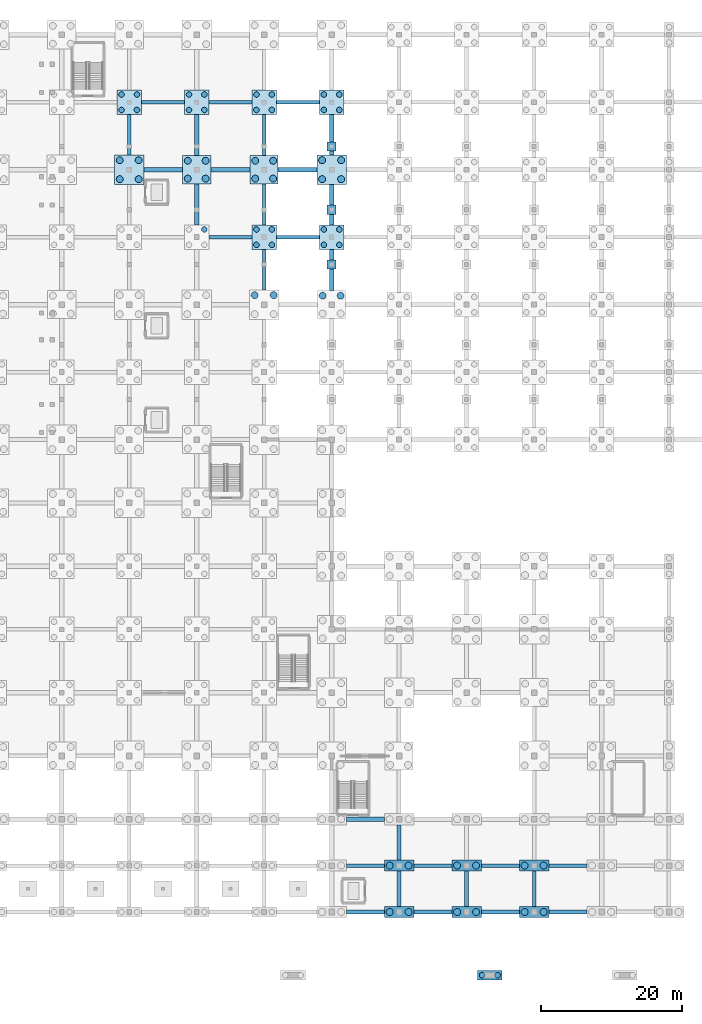
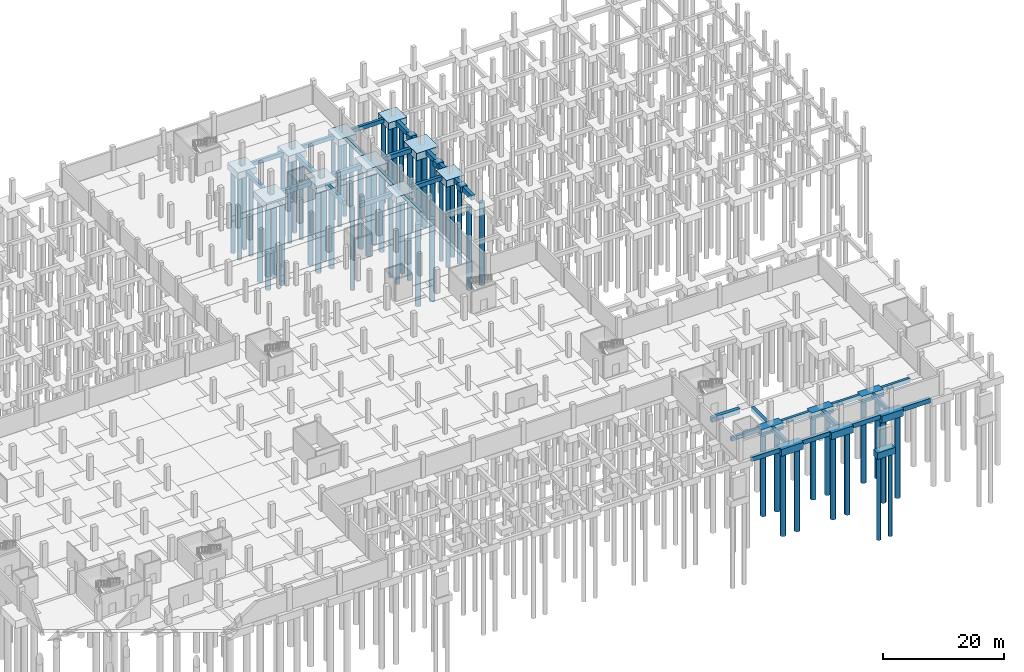
# One storey, part 11 of 39: 59 piles, 53 footings.
"""IFC4 building model written with IfcOpenShell, lengths in metres."""

from ifc_helpers import new_model, si_unit, direction, frame, origin, origin_2d, place, context, subcontext, project, spatial, polyline, rectangle, circle, outline, extrude, material, material_profile, profile_set, type_object, element, save


model = new_model("IFC4")

# Units and contexts
model_context = context("Model", 3, precision=1e-05, world=origin(), true_north=direction((0.0, 1.0)))
body_context = subcontext(model_context, "Body", "Model", "MODEL_VIEW")
ifc_project = project(units=[si_unit("LENGTHUNIT", "METRE"), si_unit("AREAUNIT", "SQUARE_METRE"), si_unit("VOLUMEUNIT", "CUBIC_METRE"), si_unit("PLANEANGLEUNIT", "RADIAN"), si_unit("MASSUNIT", "GRAM", prefix="KILO")], contexts=[model_context])

# Site, building, storey
site_placement = place(None, origin())
site = spatial("IfcSite", under=ifc_project, at=site_placement, CompositionType="ELEMENT")
building_placement = place(site_placement, origin())
building = spatial("IfcBuilding", under=site, at=building_placement, Name="Zarnetskaya Central Station", CompositionType="ELEMENT")
storey_placement = place(building_placement, frame((0.0, 0.0, -4.800048828125)))
storey = spatial("IfcBuildingStorey", under=building, at=storey_placement, Name="B1", CompositionType="ELEMENT", Elevation=-4.800048828125)

# Footings
ifc_material_1 = material(Name="Concrete C30/37", Category="concrete")
footing_type_1 = type_object("IfcFootingType", Name="FB-500x800", PredefinedType="FOOTING_BEAM", material=ifc_material_1)
footing_1_placement = place(storey_placement, frame((0.0, 0.0, -0.800048828125)))
element("IfcFooting", 1, at=footing_1_placement, inside=storey, type_object=footing_type_1, Name="Footing tie beam 2 P-Q", PredefinedType="FOOTING_BEAM", context=body_context, shape_type="SweptSolid", body=[
    extrude(outline(polyline([(126.89990234375, 6.35009765625), (132.300048828125, 6.35009765625), (132.300048828125, 6.85009765625), (126.89990234375, 6.85009765625), (126.89990234375, 6.35009765625)])), origin(), (0.0, 0.0, 1.0), 0.800048828125),
])
footing_2_placement = place(storey_placement, frame((0.0, 0.0, -0.800048828125)))
element("IfcFooting", 2, at=footing_2_placement, inside=storey, type_object=footing_type_1, Name="Footing tie beam 2 Q-R", PredefinedType="FOOTING_BEAM", context=body_context, shape_type="SweptSolid", body=[
    extrude(outline(polyline([(136.5, 6.35009765625), (141.89990234375, 6.35009765625), (141.89990234375, 6.85009765625), (136.5, 6.85009765625), (136.5, 6.35009765625)])), origin(), (0.0, 0.0, 1.0), 0.800048828125),
])
footing_3_placement = place(storey_placement, frame((0.0, 0.0, -0.800048828125)))
element("IfcFooting", 3, at=footing_3_placement, inside=storey, type_object=footing_type_1, Name="Footing tie beam 2 R-S", PredefinedType="FOOTING_BEAM", context=body_context, shape_type="SweptSolid", body=[
    extrude(outline(polyline([(146.10009765625, 6.35009765625), (151.5, 6.35009765625), (151.5, 6.85009765625), (146.10009765625, 6.85009765625), (146.10009765625, 6.35009765625)])), origin(), (0.0, 0.0, 1.0), 0.800048828125),
])
footing_4_placement = place(storey_placement, frame((0.0, 0.0, -0.800048828125)))
element("IfcFooting", 4, at=footing_4_placement, inside=storey, type_object=footing_type_1, Name="Footing tie beam 2 S-T", PredefinedType="FOOTING_BEAM", context=body_context, shape_type="SweptSolid", body=[
    extrude(outline(polyline([(155.699951171875, 6.35009765625), (161.10009765625, 6.35009765625), (161.10009765625, 6.85009765625), (155.699951171875, 6.85009765625), (155.699951171875, 6.35009765625)])), origin(), (0.0, 0.0, 1.0), 0.800048828125),
])
footing_5_placement = place(storey_placement, frame((0.0, 0.0, -0.800048828125)))
element("IfcFooting", 5, at=footing_5_placement, inside=storey, type_object=footing_type_1, Name="Footing tie beam 14 L-M", PredefinedType="FOOTING_BEAM", context=body_context, shape_type="SweptSolid", body=[
    extrude(outline(polyline([(97.75, 114.949951171875), (103.85009765625, 114.949951171875), (103.85009765625, 115.449951171875), (97.75, 115.449951171875), (97.75, 114.949951171875)])), origin(), (0.0, 0.0, 1.0), 0.800048828125),
])
footing_6_placement = place(storey_placement, frame((0.0, 0.0, -0.800048828125)))
element("IfcFooting", 6, at=footing_6_placement, inside=storey, type_object=footing_type_1, Name="Footing tie beam 14 M-N", PredefinedType="FOOTING_BEAM", context=body_context, shape_type="SweptSolid", body=[
    extrude(outline(polyline([(107.35009765625, 114.949951171875), (113.449951171875, 114.949951171875), (113.449951171875, 115.449951171875), (107.35009765625, 115.449951171875), (107.35009765625, 114.949951171875)])), origin(), (0.0, 0.0, 1.0), 0.800048828125),
])
footing_7_placement = place(storey_placement, frame((0.0, 0.0, -0.800048828125)))
element("IfcFooting", 7, at=footing_7_placement, inside=storey, type_object=footing_type_1, Name="Footing tie beam 14 N-P", PredefinedType="FOOTING_BEAM", context=body_context, shape_type="SweptSolid", body=[
    extrude(outline(polyline([(116.949951171875, 114.949951171875), (123.050048828125, 114.949951171875), (123.050048828125, 115.449951171875), (116.949951171875, 115.449951171875), (116.949951171875, 114.949951171875)])), origin(), (0.0, 0.0, 1.0), 0.800048828125),
])
footing_8_placement = place(storey_placement, frame((0.0, 0.0, -0.800048828125)))
element("IfcFooting", 8, at=footing_8_placement, inside=storey, type_object=footing_type_1, Name="Footing tie beam N 11-12", PredefinedType="FOOTING_BEAM", context=body_context, shape_type="SweptSolid", body=[
    extrude(outline(polyline([(114.949951171875, 88.5), (115.449951171875, 88.5), (115.449951171875, 94.25), (114.949951171875, 94.25), (114.949951171875, 88.5)])), origin(), (0.0, 0.0, 1.0), 0.800048828125),
])
footing_9_placement = place(storey_placement, frame((0.0, 0.0, -0.800048828125)))
element("IfcFooting", 9, at=footing_9_placement, inside=storey, type_object=footing_type_1, Name="Footing tie beam N 12-13", PredefinedType="FOOTING_BEAM", context=body_context, shape_type="SweptSolid", body=[
    extrude(outline(polyline([(114.949951171875, 97.75), (115.449951171875, 97.75), (115.449951171875, 103.60009765625), (114.949951171875, 103.60009765625), (114.949951171875, 97.75)])), origin(), (0.0, 0.0, 1.0), 0.800048828125),
])
footing_10_placement = place(storey_placement, frame((0.0, 0.0, -0.800048828125)))
element("IfcFooting", 10, at=footing_10_placement, inside=storey, type_object=footing_type_1, Name="Footing tie beam N 13-14", PredefinedType="FOOTING_BEAM", context=body_context, shape_type="SweptSolid", body=[
    extrude(outline(polyline([(114.949951171875, 107.60009765625), (115.449951171875, 107.60009765625), (115.449951171875, 113.449951171875), (114.949951171875, 113.449951171875), (114.949951171875, 107.60009765625)])), origin(), (0.0, 0.0, 1.0), 0.800048828125),
])
footing_11_placement = place(storey_placement, frame((0.0, 0.0, -0.800048828125)))
element("IfcFooting", 11, at=footing_11_placement, inside=storey, type_object=footing_type_1, Name="Footing tie beam S 1-2", PredefinedType="FOOTING_BEAM", context=body_context, shape_type="SweptSolid", body=[
    extrude(outline(polyline([(153.35009765625, 0.800048828125), (153.85009765625, 0.800048828125), (153.85009765625, 5.800048828125), (153.35009765625, 5.800048828125), (153.35009765625, 0.800048828125)])), origin(), (0.0, 0.0, 1.0), 0.800048828125),
])
footing_type_2 = type_object("IfcFootingType", Name="FB-550x850", PredefinedType="FOOTING_BEAM", material=ifc_material_1)
footing_12_placement = place(storey_placement, frame((0.0, 0.0, -0.849853515625)))
element("IfcFooting", 12, at=footing_12_placement, inside=storey, type_object=footing_type_2, Name="Footing tie beam 12 M-N", PredefinedType="FOOTING_BEAM", context=body_context, shape_type="SweptSolid", body=[
    extrude(outline(polyline([(107.35009765625, 95.72509765625), (113.449951171875, 95.72509765625), (113.449951171875, 96.27490234375), (107.35009765625, 96.27490234375), (107.35009765625, 95.72509765625)])), origin(), (0.0, 0.0, 1.0), 0.849853515625),
])
footing_13_placement = place(storey_placement, frame((0.0, 0.0, -0.849853515625)))
element("IfcFooting", 13, at=footing_13_placement, inside=storey, type_object=footing_type_2, Name="Footing tie beam 12 N-P", PredefinedType="FOOTING_BEAM", context=body_context, shape_type="SweptSolid", body=[
    extrude(outline(polyline([(116.949951171875, 95.72509765625), (123.050048828125, 95.72509765625), (123.050048828125, 96.27490234375), (116.949951171875, 96.27490234375), (116.949951171875, 95.72509765625)])), origin(), (0.0, 0.0, 1.0), 0.849853515625),
])
footing_14_placement = place(storey_placement, frame((0.0, 0.0, -0.849853515625)))
element("IfcFooting", 14, at=footing_14_placement, inside=storey, type_object=footing_type_2, Name="Footing tie beam L 13-14", PredefinedType="FOOTING_BEAM", context=body_context, shape_type="SweptSolid", body=[
    extrude(outline(polyline([(95.72509765625, 107.699951171875), (96.27490234375, 107.699951171875), (96.27490234375, 113.449951171875), (95.72509765625, 113.449951171875), (95.72509765625, 107.699951171875)])), origin(), (0.0, 0.0, 1.0), 0.849853515625),
])
footing_15_placement = place(storey_placement, frame((0.0, 0.0, -0.849853515625)))
element("IfcFooting", 15, at=footing_15_placement, inside=storey, type_object=footing_type_2, Name="Footing tie beam Q 1-2", PredefinedType="FOOTING_BEAM", context=body_context, shape_type="SweptSolid", body=[
    extrude(outline(polyline([(134.125, 0.800048828125), (134.675048828125, 0.800048828125), (134.675048828125, 5.800048828125), (134.125, 5.800048828125), (134.125, 0.800048828125)])), origin(), (0.0, 0.0, 1.0), 0.849853515625),
])
footing_16_placement = place(storey_placement, frame((0.0, 0.0, -0.849853515625)))
element("IfcFooting", 16, at=footing_16_placement, inside=storey, type_object=footing_type_2, Name="Footing tie beam Q 2-3", PredefinedType="FOOTING_BEAM", context=body_context, shape_type="SweptSolid", body=[
    extrude(outline(polyline([(134.125, 7.39990234375), (134.675048828125, 7.39990234375), (134.675048828125, 12.39990234375), (134.125, 12.39990234375), (134.125, 7.39990234375)])), origin(), (0.0, 0.0, 1.0), 0.849853515625),
])
footing_type_3 = type_object("IfcFootingType", Name="FB-600x900", PredefinedType="FOOTING_BEAM", material=ifc_material_1)
footing_17_placement = place(storey_placement, frame((0.0, 0.0, -0.89990234375)))
element("IfcFooting", 17, at=footing_17_placement, inside=storey, type_object=footing_type_3, Name="Footing tie beam 1 P-Q", PredefinedType="FOOTING_BEAM", context=body_context, shape_type="SweptSolid", body=[
    extrude(outline(polyline([(126.89990234375, -0.300048828125), (132.300048828125, -0.300048828125), (132.300048828125, 0.300048828125), (126.89990234375, 0.300048828125), (126.89990234375, -0.300048828125)])), origin(), (0.0, 0.0, 1.0), 0.89990234375),
])
footing_18_placement = place(storey_placement, frame((0.0, 0.0, -0.89990234375)))
element("IfcFooting", 18, at=footing_18_placement, inside=storey, type_object=footing_type_3, Name="Footing tie beam 1 Q-R", PredefinedType="FOOTING_BEAM", context=body_context, shape_type="SweptSolid", body=[
    extrude(outline(polyline([(136.5, -0.300048828125), (141.89990234375, -0.300048828125), (141.89990234375, 0.300048828125), (136.5, 0.300048828125), (136.5, -0.300048828125)])), origin(), (0.0, 0.0, 1.0), 0.89990234375),
])
footing_19_placement = place(storey_placement, frame((0.0, 0.0, -0.89990234375)))
element("IfcFooting", 19, at=footing_19_placement, inside=storey, type_object=footing_type_3, Name="Footing tie beam 1 R-S", PredefinedType="FOOTING_BEAM", context=body_context, shape_type="SweptSolid", body=[
    extrude(outline(polyline([(146.10009765625, -0.300048828125), (151.5, -0.300048828125), (151.5, 0.300048828125), (146.10009765625, 0.300048828125), (146.10009765625, -0.300048828125)])), origin(), (0.0, 0.0, 1.0), 0.89990234375),
])
footing_20_placement = place(storey_placement, frame((0.0, 0.0, -0.89990234375)))
element("IfcFooting", 20, at=footing_20_placement, inside=storey, type_object=footing_type_3, Name="Footing tie beam 1 S-T", PredefinedType="FOOTING_BEAM", context=body_context, shape_type="SweptSolid", body=[
    extrude(outline(polyline([(155.699951171875, -0.300048828125), (161.10009765625, -0.300048828125), (161.10009765625, 0.300048828125), (155.699951171875, 0.300048828125), (155.699951171875, -0.300048828125)])), origin(), (0.0, 0.0, 1.0), 0.89990234375),
])
footing_21_placement = place(storey_placement, frame((0.0, 0.0, -0.89990234375)))
element("IfcFooting", 21, at=footing_21_placement, inside=storey, type_object=footing_type_3, Name="Footing tie beam 13 L-M", PredefinedType="FOOTING_BEAM", context=body_context, shape_type="SweptSolid", body=[
    extrude(outline(polyline([(98.10009765625, 105.300048828125), (103.60009765625, 105.300048828125), (103.60009765625, 105.89990234375), (98.10009765625, 105.89990234375), (98.10009765625, 105.300048828125)])), origin(), (0.0, 0.0, 1.0), 0.89990234375),
])
footing_22_placement = place(storey_placement, frame((0.0, 0.0, -0.89990234375)))
element("IfcFooting", 22, at=footing_22_placement, inside=storey, type_object=footing_type_3, Name="Footing tie beam 13 M-N", PredefinedType="FOOTING_BEAM", context=body_context, shape_type="SweptSolid", body=[
    extrude(outline(polyline([(107.60009765625, 105.300048828125), (113.199951171875, 105.300048828125), (113.199951171875, 105.89990234375), (107.60009765625, 105.89990234375), (107.60009765625, 105.300048828125)])), origin(), (0.0, 0.0, 1.0), 0.89990234375),
])
footing_23_placement = place(storey_placement, frame((0.0, 0.0, -0.89990234375)))
element("IfcFooting", 23, at=footing_23_placement, inside=storey, type_object=footing_type_3, Name="Footing tie beam 13 N-P", PredefinedType="FOOTING_BEAM", context=body_context, shape_type="SweptSolid", body=[
    extrude(outline(polyline([(117.199951171875, 105.300048828125), (122.699951171875, 105.300048828125), (122.699951171875, 105.89990234375), (117.199951171875, 105.89990234375), (117.199951171875, 105.300048828125)])), origin(), (0.0, 0.0, 1.0), 0.89990234375),
])
footing_24_placement = place(storey_placement, frame((0.0, 0.0, -0.89990234375)))
element("IfcFooting", 24, at=footing_24_placement, inside=storey, type_object=footing_type_3, Name="Footing tie beam M 12-13", PredefinedType="FOOTING_BEAM", context=body_context, shape_type="SweptSolid", body=[
    extrude(outline(polyline([(105.300048828125, 97.75), (105.89990234375, 97.75), (105.89990234375, 103.60009765625), (105.300048828125, 103.60009765625), (105.300048828125, 97.75)])), origin(), (0.0, 0.0, 1.0), 0.89990234375),
])
footing_25_placement = place(storey_placement, frame((0.0, 0.0, -0.89990234375)))
element("IfcFooting", 25, at=footing_25_placement, inside=storey, type_object=footing_type_3, Name="Footing tie beam M 13-14", PredefinedType="FOOTING_BEAM", context=body_context, shape_type="SweptSolid", body=[
    extrude(outline(polyline([(105.300048828125, 107.60009765625), (105.89990234375, 107.60009765625), (105.89990234375, 113.449951171875), (105.300048828125, 113.449951171875), (105.300048828125, 107.60009765625)])), origin(), (0.0, 0.0, 1.0), 0.89990234375),
])
footing_26_placement = place(storey_placement, frame((0.0, 0.0, -0.89990234375)))
element("IfcFooting", 26, at=footing_26_placement, inside=storey, type_object=footing_type_3, Name="Footing tie beam R 1-2", PredefinedType="FOOTING_BEAM", context=body_context, shape_type="SweptSolid", body=[
    extrude(outline(polyline([(143.699951171875, 0.800048828125), (144.300048828125, 0.800048828125), (144.300048828125, 5.800048828125), (143.699951171875, 5.800048828125), (143.699951171875, 0.800048828125)])), origin(), (0.0, 0.0, 1.0), 0.89990234375),
])
footing_type_4 = type_object("IfcFootingType", Name="FB-650x950", PredefinedType="FOOTING_BEAM", material=ifc_material_1)
footing_27_placement = place(storey_placement, frame((0.0, 0.0, -0.949951171875)))
element("IfcFooting", 27, at=footing_27_placement, inside=storey, type_object=footing_type_4, Name="Footing tie beam 3 P-Q", PredefinedType="FOOTING_BEAM", context=body_context, shape_type="SweptSolid", body=[
    extrude(outline(polyline([(126.89990234375, 12.875), (132.300048828125, 12.875), (132.300048828125, 13.52490234375), (126.89990234375, 13.52490234375), (126.89990234375, 12.875)])), origin(), (0.0, 0.0, 1.0), 0.949951171875),
])
footing_28_placement = place(storey_placement, frame((0.0, 0.0, -0.949951171875)))
element("IfcFooting", 28, at=footing_28_placement, inside=storey, type_object=footing_type_4, Name="Footing tie beam P 11-12 part 1", PredefinedType="FOOTING_BEAM", context=body_context, shape_type="SweptSolid", body=[
    extrude(outline(polyline([(124.47509765625, 88.39990234375), (125.125, 88.39990234375), (125.125, 91.449951171875), (124.47509765625, 91.449951171875), (124.47509765625, 88.39990234375)])), origin(), (0.0, 0.0, 1.0), 0.949951171875),
])
footing_29_placement = place(storey_placement, frame((0.0, 0.0, -0.949951171875)))
element("IfcFooting", 29, at=footing_29_placement, inside=storey, type_object=footing_type_4, Name="Footing tie beam P 11-12 part 2", PredefinedType="FOOTING_BEAM", context=body_context, shape_type="SweptSolid", body=[
    extrude(outline(polyline([(124.47509765625, 92.75), (125.125, 92.75), (125.125, 94.25), (124.47509765625, 94.25), (124.47509765625, 92.75)])), origin(), (0.0, 0.0, 1.0), 0.949951171875),
])
footing_30_placement = place(storey_placement, frame((0.0, 0.0, -0.949951171875)))
element("IfcFooting", 30, at=footing_30_placement, inside=storey, type_object=footing_type_4, Name="Footing tie beam P 12-13 part 1", PredefinedType="FOOTING_BEAM", context=body_context, shape_type="SweptSolid", body=[
    extrude(outline(polyline([(124.47509765625, 97.75), (125.125, 97.75), (125.125, 99.25), (124.47509765625, 99.25), (124.47509765625, 97.75)])), origin(), (0.0, 0.0, 1.0), 0.949951171875),
])
footing_31_placement = place(storey_placement, frame((0.0, 0.0, -0.949951171875)))
element("IfcFooting", 31, at=footing_31_placement, inside=storey, type_object=footing_type_4, Name="Footing tie beam P 12-13 part 2", PredefinedType="FOOTING_BEAM", context=body_context, shape_type="SweptSolid", body=[
    extrude(outline(polyline([(124.47509765625, 100.550048828125), (125.125, 100.550048828125), (125.125, 103.5), (124.47509765625, 103.5), (124.47509765625, 100.550048828125)])), origin(), (0.0, 0.0, 1.0), 0.949951171875),
])
footing_32_placement = place(storey_placement, frame((0.0, 0.0, -0.949951171875)))
element("IfcFooting", 32, at=footing_32_placement, inside=storey, type_object=footing_type_4, Name="Footing tie beam P 13-14 part 1", PredefinedType="FOOTING_BEAM", context=body_context, shape_type="SweptSolid", body=[
    extrude(outline(polyline([(124.47509765625, 107.699951171875), (125.125, 107.699951171875), (125.125, 108.25), (124.47509765625, 108.25), (124.47509765625, 107.699951171875)])), origin(), (0.0, 0.0, 1.0), 0.949951171875),
])
footing_33_placement = place(storey_placement, frame((0.0, 0.0, -0.949951171875)))
element("IfcFooting", 33, at=footing_33_placement, inside=storey, type_object=footing_type_4, Name="Footing tie beam P 13-14 part 2", PredefinedType="FOOTING_BEAM", context=body_context, shape_type="SweptSolid", body=[
    extrude(outline(polyline([(124.47509765625, 109.550048828125), (125.125, 109.550048828125), (125.125, 113.449951171875), (124.47509765625, 113.449951171875), (124.47509765625, 109.550048828125)])), origin(), (0.0, 0.0, 1.0), 0.949951171875),
])
ifc_material_2 = material(Name="Concrete C35/45", Category="concrete")
footing_type_5 = type_object("IfcFootingType", Name="PAD-PIER-130", PredefinedType="PAD_FOOTING", material=ifc_material_2)
for number, where, z_axis, x_axis, name in (
    (34, (124.800048828125, 92.10009765625, -1.14990234375), (0.0, 0.0, 1.0), (1.0, 0.0, 0.0), "Platform pier pad P2-PN"),
    (35, (124.800048828125, 99.89990234375, -1.14990234375), (0.0, 0.0, 1.0), (1.0, 0.0, 0.0), "Platform pier pad P3-PS"),
    (36, (124.800048828125, 108.89990234375, -1.14990234375), (0.0, 0.0, 1.0), (1.0, 0.0, 0.0), "Platform pier pad P3-PN"),
):
    element("IfcFooting", number, at=place(storey_placement, frame(where, z_axis=z_axis, x_axis=x_axis)), inside=storey, type_object=footing_type_5, Name=name, PredefinedType="PAD_FOOTING", context=body_context, shape_type="SweptSolid", body=[
        extrude(rectangle(XDim=1.300048828125, YDim=1.300048828125, at=origin_2d()), origin(), (0.0, 0.0, 1.0), 1.14990234375),
    ])
footing_type_6 = type_object("IfcFootingType", Name="PC-2P-1000X", PredefinedType="PILE_CAP", material=ifc_material_2)
for number, where, z_axis, x_axis, name in (
    (37, (134.39990234375, 0.0, -1.39990234375), (0.0, 0.0, 1.0), (1.0, 0.0, 0.0), "Pile cap Q1"),
    (38, (134.39990234375, 6.60009765625, -1.39990234375), (0.0, 0.0, 1.0), (1.0, 0.0, 0.0), "Pile cap Q2"),
    (39, (144.0, 0.0, -1.39990234375), (0.0, 0.0, 1.0), (1.0, 0.0, 0.0), "Pile cap R1"),
    (40, (144.0, 6.60009765625, -1.39990234375), (0.0, 0.0, 1.0), (1.0, 0.0, 0.0), "Pile cap R2"),
    (41, (153.60009765625, 0.0, -1.39990234375), (0.0, 0.0, 1.0), (1.0, 0.0, 0.0), "Pile cap S1"),
    (42, (153.60009765625, 6.60009765625, -1.39990234375), (0.0, 0.0, 1.0), (1.0, 0.0, 0.0), "Pile cap S2"),
):
    element("IfcFooting", number, at=place(storey_placement, frame(where, z_axis=z_axis, x_axis=x_axis)), inside=storey, type_object=footing_type_6, Name=name, PredefinedType="PILE_CAP", context=body_context, shape_type="SweptSolid", body=[
        extrude(rectangle(XDim=4.199951171875, YDim=1.60009765625, at=origin_2d()), origin(), (0.0, 0.0, 1.0), 1.39990234375),
    ])
footing_type_7 = type_object("IfcFootingType", Name="PC-2P-800X", PredefinedType="PILE_CAP", material=ifc_material_2)
footing_34_placement = place(storey_placement, frame((147.300048828125, -9.0, -1.2998046875), z_axis=(0.0, 0.0, 1.0), x_axis=(1.0, 0.0, 0.0)))
element("IfcFooting", 43, at=footing_34_placement, inside=storey, type_object=footing_type_7, Name="Ramp pier two-pile cap RM-04", PredefinedType="PILE_CAP", context=body_context, shape_type="SweptSolid", body=[
    extrude(rectangle(XDim=3.5, YDim=1.35009765625, at=origin_2d()), origin(), (0.0, 0.0, 1.0), 1.300048828125),
])
footing_type_8 = type_object("IfcFootingType", Name="PC-4P-1000A", PredefinedType="PILE_CAP", material=ifc_material_2)
for number, where, z_axis, x_axis, name in (
    (44, (96.0, 105.60009765625, -1.44970703125), (0.0, 0.0, 1.0), (1.0, 0.0, 0.0), "Pile cap L13"),
    (45, (124.800048828125, 105.60009765625, -1.44970703125), (0.0, 0.0, 1.0), (1.0, 0.0, 0.0), "Pile cap P13"),
):
    element("IfcFooting", number, at=place(storey_placement, frame(where, z_axis=z_axis, x_axis=x_axis)), inside=storey, type_object=footing_type_8, Name=name, PredefinedType="PILE_CAP", context=body_context, shape_type="SweptSolid", body=[
        extrude(rectangle(XDim=4.199951171875, YDim=4.199951171875, at=origin_2d()), origin(), (0.0, 0.0, 1.0), 1.449951171875),
    ])
footing_type_9 = type_object("IfcFootingType", Name="PC-4P-1000B", PredefinedType="PILE_CAP", material=ifc_material_2)
for number, where, z_axis, x_axis, name in (
    (46, (105.60009765625, 105.60009765625, -1.39990234375), (0.0, 0.0, 1.0), (1.0, 0.0, 0.0), "Pile cap M13"),
    (47, (115.199951171875, 105.60009765625, -1.39990234375), (0.0, 0.0, 1.0), (1.0, 0.0, 0.0), "Pile cap N13"),
):
    element("IfcFooting", number, at=place(storey_placement, frame(where, z_axis=z_axis, x_axis=x_axis)), inside=storey, type_object=footing_type_9, Name=name, PredefinedType="PILE_CAP", context=body_context, shape_type="SweptSolid", body=[
        extrude(rectangle(XDim=4.0, YDim=4.0, at=origin_2d()), origin(), (0.0, 0.0, 1.0), 1.39990234375),
    ])
footing_type_10 = type_object("IfcFootingType", Name="PC-4P-800A", PredefinedType="PILE_CAP", material=ifc_material_2)
for number, where, z_axis, x_axis, name in (
    (48, (96.0, 115.199951171875, -1.35009765625), (0.0, 0.0, 1.0), (1.0, 0.0, 0.0), "Pile cap L14"),
    (49, (105.60009765625, 115.199951171875, -1.35009765625), (0.0, 0.0, 1.0), (1.0, 0.0, 0.0), "Pile cap M14"),
    (50, (115.199951171875, 96.0, -1.35009765625), (0.0, 0.0, 1.0), (1.0, 0.0, 0.0), "Pile cap N12"),
    (51, (115.199951171875, 115.199951171875, -1.35009765625), (0.0, 0.0, 1.0), (1.0, 0.0, 0.0), "Pile cap N14"),
    (52, (124.800048828125, 96.0, -1.35009765625), (0.0, 0.0, 1.0), (1.0, 0.0, 0.0), "Pile cap P12"),
    (53, (124.800048828125, 115.199951171875, -1.35009765625), (0.0, 0.0, 1.0), (1.0, 0.0, 0.0), "Pile cap P14"),
):
    element("IfcFooting", number, at=place(storey_placement, frame(where, z_axis=z_axis, x_axis=x_axis)), inside=storey, type_object=footing_type_10, Name=name, PredefinedType="PILE_CAP", context=body_context, shape_type="SweptSolid", body=[
        extrude(rectangle(XDim=3.5, YDim=3.5, at=origin_2d()), origin(), (0.0, 0.0, 1.0), 1.35009765625),
    ])

# Piles
ifc_material_profile_1 = material_profile(ifc_material_2, circle(Radius=0.5, at=origin_2d()), Name="BORED PILE D1000")
ifc_profile_set_1 = profile_set([ifc_material_profile_1], Name="Concrete C35/45")
pile_type_1 = type_object("IfcPileType", Name="PILE-D1000", PredefinedType="BORED", material=ifc_profile_set_1)
for number, where, z_axis, x_axis, name in (
    (54, (94.64990234375, 104.25, -1.300048828125), (0.0, 0.0, -1.0), (1.0, 0.0, 0.0), "Bored pile L13-11"),
    (55, (94.64990234375, 106.949951171875, -1.300048828125), (0.0, 0.0, -1.0), (1.0, 0.0, 0.0), "Bored pile L13-12"),
    (56, (97.35009765625, 104.25, -1.300048828125), (0.0, 0.0, -1.0), (1.0, 0.0, 0.0), "Bored pile L13-21"),
    (57, (97.35009765625, 106.949951171875, -1.300048828125), (0.0, 0.0, -1.0), (1.0, 0.0, 0.0), "Bored pile L13-22"),
):
    element("IfcPile", number, at=place(storey_placement, frame(where, z_axis=z_axis, x_axis=x_axis)), inside=storey, type_object=pile_type_1, Name=name, PredefinedType="BORED", context=body_context, shape_type="SweptSolid", body=[
        extrude(circle(Radius=0.5, at=origin_2d()), origin(), (0.0, 0.0, 1.0), 16.699951171875),
    ])
for number, where, z_axis, x_axis, name in (
    (58, (104.324951171875, 104.324951171875, -1.25), (0.0, 0.0, -1.0), (1.0, 0.0, 0.0), "Bored pile M13-11"),
    (59, (104.324951171875, 106.875, -1.25), (0.0, 0.0, -1.0), (1.0, 0.0, 0.0), "Bored pile M13-12"),
    (60, (106.875, 104.324951171875, -1.25), (0.0, 0.0, -1.0), (1.0, 0.0, 0.0), "Bored pile M13-21"),
    (61, (106.875, 106.875, -1.25), (0.0, 0.0, -1.0), (1.0, 0.0, 0.0), "Bored pile M13-22"),
):
    element("IfcPile", number, at=place(storey_placement, frame(where, z_axis=z_axis, x_axis=x_axis)), inside=storey, type_object=pile_type_1, Name=name, PredefinedType="BORED", context=body_context, shape_type="SweptSolid", body=[
        extrude(circle(Radius=0.5, at=origin_2d()), origin(), (0.0, 0.0, 1.0), 16.75),
    ])
for number, where, z_axis, x_axis, name in (
    (62, (113.85009765625, 87.75, -1.300048828125), (0.0, 0.0, -1.0), (1.0, 0.0, 0.0), "Bored pile N11-12"),
    (63, (116.550048828125, 87.75, -1.300048828125), (0.0, 0.0, -1.0), (1.0, 0.0, 0.0), "Bored pile N11-22"),
):
    element("IfcPile", number, at=place(storey_placement, frame(where, z_axis=z_axis, x_axis=x_axis)), inside=storey, type_object=pile_type_1, Name=name, PredefinedType="BORED", context=body_context, shape_type="SweptSolid", body=[
        extrude(circle(Radius=0.5, at=origin_2d()), origin(), (0.0, 0.0, 1.0), 16.699951171875),
    ])
for number, where, z_axis, x_axis, name in (
    (64, (113.925048828125, 104.324951171875, -1.25), (0.0, 0.0, -1.0), (1.0, 0.0, 0.0), "Bored pile N13-11"),
    (65, (113.925048828125, 106.875, -1.25), (0.0, 0.0, -1.0), (1.0, 0.0, 0.0), "Bored pile N13-12"),
    (66, (116.47509765625, 104.324951171875, -1.25), (0.0, 0.0, -1.0), (1.0, 0.0, 0.0), "Bored pile N13-21"),
    (67, (116.47509765625, 106.875, -1.25), (0.0, 0.0, -1.0), (1.0, 0.0, 0.0), "Bored pile N13-22"),
    (68, (123.52490234375, 87.675048828125, -1.25), (0.0, 0.0, -1.0), (1.0, 0.0, 0.0), "Bored pile P11-12"),
    (69, (126.074951171875, 87.675048828125, -1.25), (0.0, 0.0, -1.0), (1.0, 0.0, 0.0), "Bored pile P11-22"),
):
    element("IfcPile", number, at=place(storey_placement, frame(where, z_axis=z_axis, x_axis=x_axis)), inside=storey, type_object=pile_type_1, Name=name, PredefinedType="BORED", context=body_context, shape_type="SweptSolid", body=[
        extrude(circle(Radius=0.5, at=origin_2d()), origin(), (0.0, 0.0, 1.0), 16.75),
    ])
for number, where, z_axis, x_axis, name in (
    (70, (123.449951171875, 104.25, -1.300048828125), (0.0, 0.0, -1.0), (1.0, 0.0, 0.0), "Bored pile P13-11"),
    (71, (123.449951171875, 106.949951171875, -1.300048828125), (0.0, 0.0, -1.0), (1.0, 0.0, 0.0), "Bored pile P13-12"),
    (72, (126.14990234375, 104.25, -1.300048828125), (0.0, 0.0, -1.0), (1.0, 0.0, 0.0), "Bored pile P13-21"),
    (73, (126.14990234375, 106.949951171875, -1.300048828125), (0.0, 0.0, -1.0), (1.0, 0.0, 0.0), "Bored pile P13-22"),
):
    element("IfcPile", number, at=place(storey_placement, frame(where, z_axis=z_axis, x_axis=x_axis)), inside=storey, type_object=pile_type_1, Name=name, PredefinedType="BORED", context=body_context, shape_type="SweptSolid", body=[
        extrude(circle(Radius=0.5, at=origin_2d()), origin(), (0.0, 0.0, 1.0), 16.699951171875),
    ])
for number, where, z_axis, x_axis, name in (
    (74, (133.050048828125, 0.0, -1.25), (0.0, 0.0, -1.0), (1.0, 0.0, 0.0), "Bored pile Q1-11"),
    (75, (135.75, 0.0, -1.25), (0.0, 0.0, -1.0), (1.0, 0.0, 0.0), "Bored pile Q1-21"),
    (76, (133.050048828125, 6.60009765625, -1.25), (0.0, 0.0, -1.0), (1.0, 0.0, 0.0), "Bored pile Q2-11"),
    (77, (135.75, 6.60009765625, -1.25), (0.0, 0.0, -1.0), (1.0, 0.0, 0.0), "Bored pile Q2-21"),
    (78, (142.64990234375, 0.0, -1.25), (0.0, 0.0, -1.0), (1.0, 0.0, 0.0), "Bored pile R1-11"),
    (79, (145.35009765625, 0.0, -1.25), (0.0, 0.0, -1.0), (1.0, 0.0, 0.0), "Bored pile R1-21"),
    (80, (142.64990234375, 6.60009765625, -1.25), (0.0, 0.0, -1.0), (1.0, 0.0, 0.0), "Bored pile R2-11"),
    (81, (145.35009765625, 6.60009765625, -1.25), (0.0, 0.0, -1.0), (1.0, 0.0, 0.0), "Bored pile R2-21"),
    (82, (152.25, 0.0, -1.25), (0.0, 0.0, -1.0), (1.0, 0.0, 0.0), "Bored pile S1-11"),
    (83, (154.949951171875, 0.0, -1.25), (0.0, 0.0, -1.0), (1.0, 0.0, 0.0), "Bored pile S1-21"),
    (84, (152.25, 6.60009765625, -1.25), (0.0, 0.0, -1.0), (1.0, 0.0, 0.0), "Bored pile S2-11"),
    (85, (154.949951171875, 6.60009765625, -1.25), (0.0, 0.0, -1.0), (1.0, 0.0, 0.0), "Bored pile S2-21"),
):
    element("IfcPile", number, at=place(storey_placement, frame(where, z_axis=z_axis, x_axis=x_axis)), inside=storey, type_object=pile_type_1, Name=name, PredefinedType="BORED", context=body_context, shape_type="SweptSolid", body=[
        extrude(circle(Radius=0.5, at=origin_2d()), origin(), (0.0, 0.0, 1.0), 16.75),
    ])
ifc_material_profile_2 = material_profile(ifc_material_2, circle(Radius=0.39990234375, at=origin_2d()), Name="BORED PILE D800")
ifc_profile_set_2 = profile_set([ifc_material_profile_2], Name="Concrete C35/45")
pile_type_2 = type_object("IfcPileType", Name="PILE-D800", PredefinedType="BORED", material=ifc_profile_set_2)
for number, where, z_axis, x_axis, name in (
    (86, (146.199951171875, -9.0, -1.14990234375), (0.0, 0.0, -1.0), (1.0, 0.0, 0.0), "Ramp pier socketed bored pile RM-04-1"),
    (87, (148.39990234375, -9.0, -1.14990234375), (0.0, 0.0, -1.0), (1.0, 0.0, 0.0), "Ramp pier socketed bored pile RM-04-2"),
):
    element("IfcPile", number, at=place(storey_placement, frame(where, z_axis=z_axis, x_axis=x_axis)), inside=storey, type_object=pile_type_2, Name=name, PredefinedType="BORED", context=body_context, shape_type="SweptSolid", body=[
        extrude(circle(Radius=0.39990234375, at=origin_2d()), origin(), (0.0, 0.0, 1.0), 16.85009765625),
    ])
for number, where, z_axis, x_axis, name in (
    (88, (94.89990234375, 114.10009765625, -1.199951171875), (0.0, 0.0, -1.0), (1.0, 0.0, 0.0), "Bored pile L14-11"),
    (89, (94.89990234375, 116.300048828125, -1.199951171875), (0.0, 0.0, -1.0), (1.0, 0.0, 0.0), "Bored pile L14-12"),
    (90, (97.10009765625, 114.10009765625, -1.199951171875), (0.0, 0.0, -1.0), (1.0, 0.0, 0.0), "Bored pile L14-21"),
    (91, (97.10009765625, 116.300048828125, -1.199951171875), (0.0, 0.0, -1.0), (1.0, 0.0, 0.0), "Bored pile L14-22"),
    (92, (106.699951171875, 97.10009765625, -1.199951171875), (0.0, 0.0, -1.0), (1.0, 0.0, 0.0), "Bored pile M12-22"),
    (93, (104.5, 114.10009765625, -1.199951171875), (0.0, 0.0, -1.0), (1.0, 0.0, 0.0), "Bored pile M14-11"),
    (94, (104.5, 116.300048828125, -1.199951171875), (0.0, 0.0, -1.0), (1.0, 0.0, 0.0), "Bored pile M14-12"),
    (95, (106.699951171875, 114.10009765625, -1.199951171875), (0.0, 0.0, -1.0), (1.0, 0.0, 0.0), "Bored pile M14-21"),
    (96, (106.699951171875, 116.300048828125, -1.199951171875), (0.0, 0.0, -1.0), (1.0, 0.0, 0.0), "Bored pile M14-22"),
    (97, (114.10009765625, 94.89990234375, -1.199951171875), (0.0, 0.0, -1.0), (1.0, 0.0, 0.0), "Bored pile N12-11"),
    (98, (114.10009765625, 97.10009765625, -1.199951171875), (0.0, 0.0, -1.0), (1.0, 0.0, 0.0), "Bored pile N12-12"),
    (99, (116.300048828125, 94.89990234375, -1.199951171875), (0.0, 0.0, -1.0), (1.0, 0.0, 0.0), "Bored pile N12-21"),
    (100, (116.300048828125, 97.10009765625, -1.199951171875), (0.0, 0.0, -1.0), (1.0, 0.0, 0.0), "Bored pile N12-22"),
    (101, (114.10009765625, 114.10009765625, -1.199951171875), (0.0, 0.0, -1.0), (1.0, 0.0, 0.0), "Bored pile N14-11"),
    (102, (114.10009765625, 116.300048828125, -1.199951171875), (0.0, 0.0, -1.0), (1.0, 0.0, 0.0), "Bored pile N14-12"),
    (103, (116.300048828125, 114.10009765625, -1.199951171875), (0.0, 0.0, -1.0), (1.0, 0.0, 0.0), "Bored pile N14-21"),
    (104, (116.300048828125, 116.300048828125, -1.199951171875), (0.0, 0.0, -1.0), (1.0, 0.0, 0.0), "Bored pile N14-22"),
    (105, (123.699951171875, 94.89990234375, -1.199951171875), (0.0, 0.0, -1.0), (1.0, 0.0, 0.0), "Bored pile P12-11"),
    (106, (123.699951171875, 97.10009765625, -1.199951171875), (0.0, 0.0, -1.0), (1.0, 0.0, 0.0), "Bored pile P12-12"),
    (107, (125.89990234375, 94.89990234375, -1.199951171875), (0.0, 0.0, -1.0), (1.0, 0.0, 0.0), "Bored pile P12-21"),
    (108, (125.89990234375, 97.10009765625, -1.199951171875), (0.0, 0.0, -1.0), (1.0, 0.0, 0.0), "Bored pile P12-22"),
    (109, (123.699951171875, 114.10009765625, -1.199951171875), (0.0, 0.0, -1.0), (1.0, 0.0, 0.0), "Bored pile P14-11"),
    (110, (123.699951171875, 116.300048828125, -1.199951171875), (0.0, 0.0, -1.0), (1.0, 0.0, 0.0), "Bored pile P14-12"),
    (111, (125.89990234375, 114.10009765625, -1.199951171875), (0.0, 0.0, -1.0), (1.0, 0.0, 0.0), "Bored pile P14-21"),
    (112, (125.89990234375, 116.300048828125, -1.199951171875), (0.0, 0.0, -1.0), (1.0, 0.0, 0.0), "Bored pile P14-22"),
):
    element("IfcPile", number, at=place(storey_placement, frame(where, z_axis=z_axis, x_axis=x_axis)), inside=storey, type_object=pile_type_2, Name=name, PredefinedType="BORED", context=body_context, shape_type="SweptSolid", body=[
        extrude(circle(Radius=0.39990234375, at=origin_2d()), origin(), (0.0, 0.0, 1.0), 16.800048828125),
    ])

save(model, "model.ifc")
